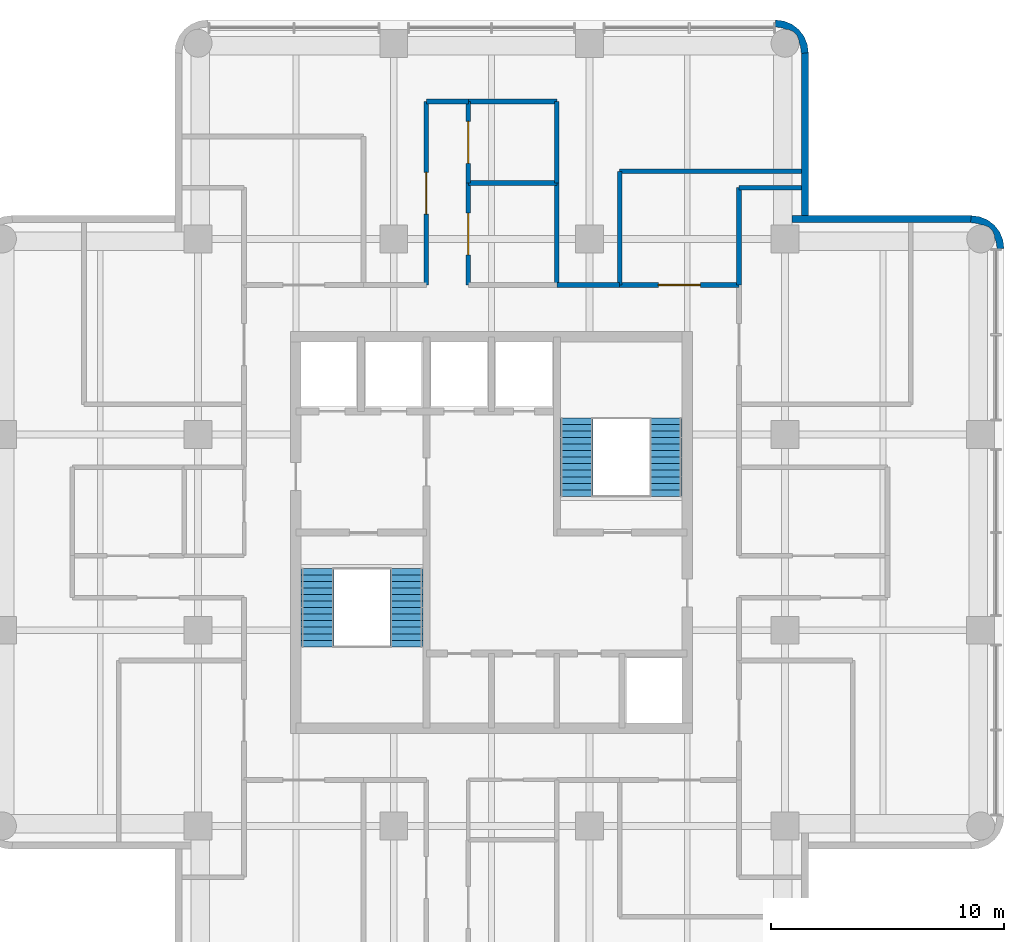
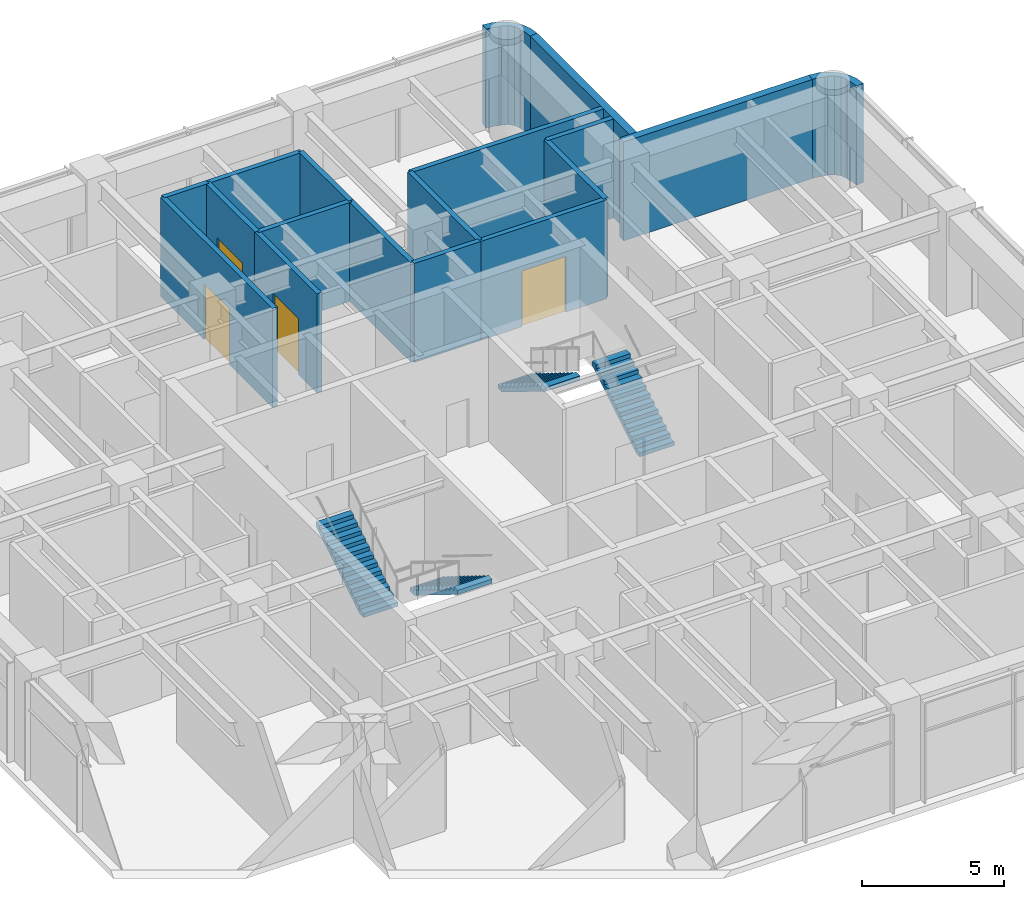
# One storey, part 7 of 8: 18 walls, 4 doors, 4 stair flights, 4 openings, 2 elements without a shape of their own.
"""IFC4 building model written with IfcOpenShell, lengths in metres."""

from ifc_helpers import new_model, si_unit, direction, frame, frame_2d, origin, place, context, subcontext, project, spatial, polyline, rectangle, outline, extrude, material, layer, layer_set, type_object, element, fill, aggregate, save


model = new_model("IFC4")

# Units and contexts
model_context = context("Model", 3, precision=1e-05, world=origin(), true_north=direction((0.0, 1.0)))
body_context = subcontext(model_context, "Body", "Model", "MODEL_VIEW")
ifc_project = project(units=[si_unit("LENGTHUNIT", "METRE"), si_unit("AREAUNIT", "SQUARE_METRE"), si_unit("VOLUMEUNIT", "CUBIC_METRE"), si_unit("PLANEANGLEUNIT", "RADIAN"), si_unit("MASSUNIT", "GRAM", prefix="KILO")], contexts=[model_context])

# Site, building, storey
site_placement = place(None, origin())
site = spatial("IfcSite", under=ifc_project, at=site_placement, CompositionType="ELEMENT")
building_placement = place(site_placement, origin())
building = spatial("IfcBuilding", under=site, at=building_placement, Name="Torre Alcanfor", CompositionType="ELEMENT")
storey_placement = place(building_placement, frame((0.0, 0.0, 300.89990234375)))
storey = spatial("IfcBuildingStorey", under=building, at=storey_placement, Name="L79", CompositionType="ELEMENT", Elevation=300.89990234375)

# Walls
ifc_material_1 = material(Name="Limestone cladding", Category="masonry")
ifc_layer_1 = layer(ifc_material_1, 0.0400390625, Name="Facing")
ifc_material_2 = material(Name="Ventilated air cavity")
ifc_layer_2 = layer(ifc_material_2, 0.02001953125, ventilated=True, Name="Ventilated joint")
ifc_material_3 = material(Name="Mineral wool insulation", Category="insulation")
ifc_layer_3 = layer(ifc_material_3, 0.10009765625, Name="Insulation")
ifc_material_4 = material(Name="Concrete f'c 35 MPa", Category="concrete")
ifc_layer_4 = layer(ifc_material_4, 0.139892578125, Name="Backing")
ifc_layer_set_1 = layer_set([ifc_layer_1, ifc_layer_2, ifc_layer_3, ifc_layer_4], Name="External wall stone-clad 300")
wall_type_1 = type_object("IfcWallType", Name="External wall stone-clad 300", PredefinedType="SOLIDWALL", material=ifc_layer_set_1)
wall_1_placement = place(storey_placement, frame((50.0, 42.85009765625, 0.0), z_axis=(0.0, 0.0, 1.0), x_axis=(-1.0, 0.0, 0.0)))
element("IfcWall", 1, at=wall_1_placement, inside=storey, type_object=wall_type_1, Name="External wall L79 9", PredefinedType="SOLIDWALL", context=body_context, shape_type="SweptSolid", body=[
    extrude(rectangle(XDim=7.699951171875, YDim=0.300048828125, at=frame_2d((3.85009765625, 0.0))), origin(), (0.0, 0.0, 1.0), 4.25),
])
wall_2_placement = place(storey_placement, frame((42.85009765625, 43.0, 0.0), z_axis=(0.0, 0.0, 1.0), x_axis=(0.0, 1.0, 0.0)))
element("IfcWall", 2, at=wall_2_placement, inside=storey, type_object=wall_type_1, Name="External wall L79 10", PredefinedType="SOLIDWALL", context=body_context, shape_type="SweptSolid", body=[
    extrude(rectangle(XDim=7.0, YDim=0.300048828125, at=frame_2d((3.5, 0.0))), origin(), (0.0, 0.0, 1.0), 4.25),
])

# Wall, opening, door
ifc_material_5 = material(Name="Concrete block masonry, hollow blocks NMX-C-404 9 MPa", Category="masonry")
ifc_layer_5 = layer(ifc_material_5, 0.199951171875)
ifc_layer_set_2 = layer_set([ifc_layer_5], Name="Plant room wall 200 EI 60")
wall_type_2 = type_object("IfcWallType", Name="Plant room wall 200 EI 60", PredefinedType="PARTITIONING", material=ifc_layer_set_2)
wall_3_placement = place(storey_placement, frame((34.89990234375, 40.02490234375, 0.0), z_axis=(0.0, 0.0, 1.0), x_axis=(1.0, 0.0, 0.0)))
wall_3 = element("IfcWall", 3, at=wall_3_placement, inside=storey, type_object=wall_type_2, Name="Partition L79-CORR / L79-N2", PredefinedType="PARTITIONING", context=body_context, shape_type="SweptSolid", body=[
    extrude(rectangle(XDim=5.125, YDim=0.199951171875, at=frame_2d((2.5625, 0.0))), origin(), (0.0, 0.0, 1.0), 4.25),
])
opening_1_placement = place(wall_3_placement, frame((1.66259765625, 0.0, 0.0)))
opening_1 = element("IfcOpeningElement", 4, at=opening_1_placement, cuts=wall_3, Name="Opening D-P1", PredefinedType="OPENING", context=body_context, shape_type="SweptSolid", body=[
    extrude(rectangle(XDim=1.800048828125, YDim=2.39990234375, at=frame_2d((0.89990234375, 1.199951171875))), frame((0.0, 0.10986328125, 0.0), z_axis=(0.0, -1.0, 0.0), x_axis=(1.0, 0.0, 0.0)), (0.0, 0.0, 1.0), 0.219970703125),
])
ifc_material_6 = material(Name="Galvanised steel sheet ASTM A653", Category="steel")
door_type = type_object("IfcDoorType", Name="Plant room door FD60 1800x2400", OperationType="DOUBLE_DOOR_SINGLE_SWING", PredefinedType="DOOR", material=ifc_material_6)
door_1_placement = place(opening_1_placement, origin())
door_1 = element("IfcDoor", 5, at=door_1_placement, inside=storey, type_object=door_type, Name="Door L79-N2 condenser water pump room", OperationType="DOUBLE_DOOR_SINGLE_SWING", OverallHeight=2.39990234375, OverallWidth=1.800048828125, PredefinedType="DOOR", context=body_context, shape_type="SweptSolid", body=[
    extrude(rectangle(XDim=1.800048828125, YDim=2.39990234375, at=frame_2d((0.89990234375, 1.199951171875))), frame((0.0, 0.02490234375, 0.0), z_axis=(0.0, -1.0, 0.0), x_axis=(1.0, 0.0, 0.0)), (0.0, 0.0, 1.0), 0.050048828125),
])
fill(opening_1, door_1)

# Walls
wall_4_placement = place(storey_placement, frame((32.199951171875, 40.02490234375, 0.0), z_axis=(0.0, 0.0, 1.0), x_axis=(1.0, 0.0, 0.0)))
element("IfcWall", 6, at=wall_4_placement, inside=storey, type_object=wall_type_2, Name="Partition L79-CORR / L79-NH", PredefinedType="PARTITIONING", context=body_context, shape_type="SweptSolid", body=[
    extrude(rectangle(XDim=2.699951171875, YDim=0.199951171875, at=frame_2d((1.35009765625, 0.0))), origin(), (0.0, 0.0, 1.0), 4.25),
])
wall_5_placement = place(storey_placement, frame((34.89990234375, 40.02490234375, 0.0), z_axis=(0.0, 0.0, 1.0), x_axis=(0.0, 1.0, 0.0)))
element("IfcWall", 7, at=wall_5_placement, inside=storey, type_object=wall_type_2, Name="Partition L79-N2 / L79-NH", PredefinedType="PARTITIONING", context=body_context, shape_type="SweptSolid", body=[
    extrude(rectangle(XDim=4.875, YDim=0.199951171875, at=frame_2d((2.4375, 0.0))), origin(), (0.0, 0.0, 1.0), 4.25),
])
wall_6_placement = place(storey_placement, frame((34.89990234375, 44.89990234375, 0.0), z_axis=(0.0, 0.0, 1.0), x_axis=(1.0, 0.0, 0.0)))
element("IfcWall", 8, at=wall_6_placement, inside=storey, type_object=wall_type_2, Name="Partition L79-N2 / L79-NH", PredefinedType="PARTITIONING", context=body_context, shape_type="SweptSolid", body=[
    extrude(rectangle(XDim=7.800048828125, YDim=0.199951171875, at=frame_2d((3.89990234375, 0.0))), origin(), (0.0, 0.0, 1.0), 4.25),
])
wall_7_placement = place(storey_placement, frame((42.699951171875, 44.199951171875, 0.0), z_axis=(0.0, 0.0, 1.0), x_axis=(-1.0, 0.0, 0.0)))
element("IfcWall", 9, at=wall_7_placement, inside=storey, type_object=wall_type_2, Name="Partition L79-N2 / L79-E2", PredefinedType="PARTITIONING", context=body_context, shape_type="SweptSolid", body=[
    extrude(rectangle(XDim=2.675048828125, YDim=0.199951171875, at=frame_2d((1.33740234375, 0.0))), origin(), (0.0, 0.0, 1.0), 4.25),
])
wall_8_placement = place(storey_placement, frame((40.02490234375, 44.199951171875, 0.0), z_axis=(0.0, 0.0, 1.0), x_axis=(0.0, -1.0, 0.0)))
element("IfcWall", 10, at=wall_8_placement, inside=storey, type_object=wall_type_2, Name="Partition L79-N2 / L79-E2", PredefinedType="PARTITIONING", context=body_context, shape_type="SweptSolid", body=[
    extrude(rectangle(XDim=4.175048828125, YDim=0.199951171875, at=frame_2d((2.08740234375, 0.0))), origin(), (0.0, 0.0, 1.0), 4.25),
])

# Wall, opening, door
wall_9_placement = place(storey_placement, frame((28.39990234375, 44.39990234375, 0.0), z_axis=(0.0, 0.0, 1.0), x_axis=(0.0, -1.0, 0.0)))
wall_9 = element("IfcWall", 11, at=wall_9_placement, inside=storey, type_object=wall_type_2, Name="Partition L79-NC / L79-N3", PredefinedType="PARTITIONING", context=body_context, shape_type="SweptSolid", body=[
    extrude(rectangle(XDim=4.375, YDim=0.199951171875, at=frame_2d((2.1875, 0.0))), origin(), (0.0, 0.0, 1.0), 4.25),
])
opening_2_placement = place(wall_9_placement, frame((1.28759765625, 0.0, 0.0)))
opening_2 = element("IfcOpeningElement", 12, at=opening_2_placement, cuts=wall_9, Name="Opening D-P1", PredefinedType="OPENING", context=body_context, shape_type="SweptSolid", body=[
    extrude(rectangle(XDim=1.800048828125, YDim=2.39990234375, at=frame_2d((0.89990234375, 1.199951171875))), frame((0.0, 0.10986328125, 0.0), z_axis=(0.0, -1.0, 0.0), x_axis=(1.0, 0.0, 0.0)), (0.0, 0.0, 1.0), 0.219970703125),
])
door_2_placement = place(opening_2_placement, origin())
door_2 = element("IfcDoor", 13, at=door_2_placement, inside=storey, type_object=door_type, Name="Door L79-N3 lv switch room", OperationType="DOUBLE_DOOR_SINGLE_SWING", OverallHeight=2.39990234375, OverallWidth=1.800048828125, PredefinedType="DOOR", context=body_context, shape_type="SweptSolid", body=[
    extrude(rectangle(XDim=1.800048828125, YDim=2.39990234375, at=frame_2d((0.89990234375, 1.199951171875))), frame((0.0, 0.02490234375, 0.0), z_axis=(0.0, -1.0, 0.0), x_axis=(1.0, 0.0, 0.0)), (0.0, 0.0, 1.0), 0.050048828125),
])
fill(opening_2, door_2)

wall_10_placement = place(storey_placement, frame((28.39990234375, 47.89990234375, 0.0), z_axis=(0.0, 0.0, 1.0), x_axis=(0.0, -1.0, 0.0)))
wall_10 = element("IfcWall", 14, at=wall_10_placement, inside=storey, type_object=wall_type_2, Name="Partition L79-NC / L79-N4", PredefinedType="PARTITIONING", context=body_context, shape_type="SweptSolid", body=[
    extrude(rectangle(XDim=3.5, YDim=0.199951171875, at=frame_2d((1.75, 0.0))), origin(), (0.0, 0.0, 1.0), 4.25),
])
opening_3_placement = place(wall_10_placement, frame((0.85009765625, 0.0, 0.0)))
opening_3 = element("IfcOpeningElement", 15, at=opening_3_placement, cuts=wall_10, Name="Opening D-P1", PredefinedType="OPENING", context=body_context, shape_type="SweptSolid", body=[
    extrude(rectangle(XDim=1.800048828125, YDim=2.39990234375, at=frame_2d((0.89990234375, 1.199951171875))), frame((0.0, 0.10986328125, 0.0), z_axis=(0.0, -1.0, 0.0), x_axis=(1.0, 0.0, 0.0)), (0.0, 0.0, 1.0), 0.219970703125),
])
door_3_placement = place(opening_3_placement, origin())
door_3 = element("IfcDoor", 16, at=door_3_placement, inside=storey, type_object=door_type, Name="Door L79-N4 plant store", OperationType="DOUBLE_DOOR_SINGLE_SWING", OverallHeight=2.39990234375, OverallWidth=1.800048828125, PredefinedType="DOOR", context=body_context, shape_type="SweptSolid", body=[
    extrude(rectangle(XDim=1.800048828125, YDim=2.39990234375, at=frame_2d((0.89990234375, 1.199951171875))), frame((0.0, 0.02490234375, 0.0), z_axis=(0.0, -1.0, 0.0), x_axis=(1.0, 0.0, 0.0)), (0.0, 0.0, 1.0), 0.050048828125),
])
fill(opening_3, door_3)

wall_11_placement = place(storey_placement, frame((26.60009765625, 40.02490234375, 0.0), z_axis=(0.0, 0.0, 1.0), x_axis=(0.0, 1.0, 0.0)))
wall_11 = element("IfcWall", 17, at=wall_11_placement, inside=storey, type_object=wall_type_2, Name="Partition L79-NC / L79-NH", PredefinedType="PARTITIONING", context=body_context, shape_type="SweptSolid", body=[
    extrude(rectangle(XDim=7.875, YDim=0.199951171875, at=frame_2d((3.9375, 0.0))), origin(), (0.0, 0.0, 1.0), 4.25),
])
opening_4_placement = place(wall_11_placement, frame((3.03759765625, 0.0, 0.0)))
opening_4 = element("IfcOpeningElement", 18, at=opening_4_placement, cuts=wall_11, Name="Opening D-P1", PredefinedType="OPENING", context=body_context, shape_type="SweptSolid", body=[
    extrude(rectangle(XDim=1.800048828125, YDim=2.39990234375, at=frame_2d((0.89990234375, 1.199951171875))), frame((0.0, 0.10986328125, 0.0), z_axis=(0.0, -1.0, 0.0), x_axis=(1.0, 0.0, 0.0)), (0.0, 0.0, 1.0), 0.219970703125),
])
door_4_placement = place(opening_4_placement, origin())
door_4 = element("IfcDoor", 19, at=door_4_placement, inside=storey, type_object=door_type, Name="Door L79-NH chiller plant room", OperationType="DOUBLE_DOOR_SINGLE_SWING", OverallHeight=2.39990234375, OverallWidth=1.800048828125, PredefinedType="DOOR", context=body_context, shape_type="SweptSolid", body=[
    extrude(rectangle(XDim=1.800048828125, YDim=2.39990234375, at=frame_2d((0.89990234375, 1.199951171875))), frame((0.0, 0.02490234375, 0.0), z_axis=(0.0, -1.0, 0.0), x_axis=(1.0, 0.0, 0.0)), (0.0, 0.0, 1.0), 0.050048828125),
])
fill(opening_4, door_4)

# Walls
wall_12_placement = place(storey_placement, frame((26.60009765625, 47.89990234375, 0.0), z_axis=(0.0, 0.0, 1.0), x_axis=(1.0, 0.0, 0.0)))
element("IfcWall", 20, at=wall_12_placement, inside=storey, type_object=wall_type_2, Name="Partition L79-NC / L79-NH", PredefinedType="PARTITIONING", context=body_context, shape_type="SweptSolid", body=[
    extrude(rectangle(XDim=1.7998046875, YDim=0.199951171875, at=frame_2d((0.89990234375, 0.0))), origin(), (0.0, 0.0, 1.0), 4.25),
])
wall_13_placement = place(storey_placement, frame((28.39990234375, 44.39990234375, 0.0), z_axis=(0.0, 0.0, 1.0), x_axis=(1.0, 0.0, 0.0)))
element("IfcWall", 21, at=wall_13_placement, inside=storey, type_object=wall_type_2, Name="Partition L79-N3 / L79-N4", PredefinedType="PARTITIONING", context=body_context, shape_type="SweptSolid", body=[
    extrude(rectangle(XDim=3.800048828125, YDim=0.199951171875, at=frame_2d((1.89990234375, 0.0))), origin(), (0.0, 0.0, 1.0), 4.25),
])
wall_14_placement = place(storey_placement, frame((32.199951171875, 44.39990234375, 0.0), z_axis=(0.0, 0.0, 1.0), x_axis=(0.0, -1.0, 0.0)))
element("IfcWall", 22, at=wall_14_placement, inside=storey, type_object=wall_type_2, Name="Partition L79-N3 / L79-NH", PredefinedType="PARTITIONING", context=body_context, shape_type="SweptSolid", body=[
    extrude(rectangle(XDim=4.375, YDim=0.199951171875, at=frame_2d((2.1875, 0.0))), origin(), (0.0, 0.0, 1.0), 4.25),
])
wall_15_placement = place(storey_placement, frame((28.39990234375, 47.89990234375, 0.0), z_axis=(0.0, 0.0, 1.0), x_axis=(1.0, 0.0, 0.0)))
element("IfcWall", 23, at=wall_15_placement, inside=storey, type_object=wall_type_2, Name="Partition L79-N4 / L79-NH", PredefinedType="PARTITIONING", context=body_context, shape_type="SweptSolid", body=[
    extrude(rectangle(XDim=3.800048828125, YDim=0.199951171875, at=frame_2d((1.89990234375, 0.0))), origin(), (0.0, 0.0, 1.0), 4.25),
])
wall_16_placement = place(storey_placement, frame((32.199951171875, 47.89990234375, 0.0), z_axis=(0.0, 0.0, 1.0), x_axis=(0.0, -1.0, 0.0)))
element("IfcWall", 24, at=wall_16_placement, inside=storey, type_object=wall_type_2, Name="Partition L79-N4 / L79-NH", PredefinedType="PARTITIONING", context=body_context, shape_type="SweptSolid", body=[
    extrude(rectangle(XDim=3.5, YDim=0.199951171875, at=frame_2d((1.75, 0.0))), origin(), (0.0, 0.0, 1.0), 4.25),
])
ifc_layer_6 = layer(ifc_material_1, 0.0400390625, Name="Facing")
ifc_layer_7 = layer(ifc_material_2, 0.02001953125, ventilated=True, Name="Ventilated joint")
ifc_layer_8 = layer(ifc_material_3, 0.10009765625, Name="Insulation")
ifc_layer_9 = layer(ifc_material_4, 0.139892578125, Name="Backing")
ifc_layer_set_3 = layer_set([ifc_layer_6, ifc_layer_7, ifc_layer_8, ifc_layer_9], Name="Rounded corner pier stone-clad 300")
wall_type_3 = type_object("IfcWallType", Name="Rounded corner pier stone-clad 300", PredefinedType="SOLIDWALL", material=ifc_layer_set_3)
wall_17_placement = place(storey_placement, frame((50.975898117, 41.638418254, 0.0), z_axis=(0.0, 0.0, 1.0), x_axis=(0.707106781187, 0.707106781187, 0.0)))
element("IfcWall", 25, at=wall_17_placement, inside=storey, type_object=wall_type_3, Name="Corner pier L79 18", PredefinedType="SOLIDWALL", context=body_context, shape_type="SweptSolid", body=[
    extrude(outline(polyline([(0.23318643990489343, 0.11416555226925765), (0.04674226908422171, -0.12890240376361806), (0.032758956272671336, -0.14288571657516844), (0.27271950945853585, -0.32691301851483145), (0.4952440800028376, -0.03706138628528721), (0.6350772081183413, 0.3006097230899294), (0.682724051772513, 0.6627947882582343), (0.6350772081183413, 1.0253251204095404), (0.4952440800028376, 1.3629962297847569), (0.27271950945853585, 1.6528478620143012), (0.032586322781170685, 1.4686479265831376), (0.04656963559272109, 1.454664613771587), (0.2330138064133928, 1.2115966577387114), (0.2922270939981062, 1.0691740272506984), (0.35800045425984317, 1.0034006669889615), (0.44949620475517277, 0.7824297978681654), (0.4493235712636722, 0.5433324121398039), (0.3578278207683425, 0.32236154301900777), (0.29222709399810615, 0.2567608162487714), (0.23318643990489343, 0.11416555226925765)])), origin(), (0.0, 0.0, 1.0), 4.25),
])
wall_18_placement = place(storey_placement, frame((42.575898117, 50.038418254, 0.0), z_axis=(0.0, 0.0, 1.0), x_axis=(0.707106781187, 0.707106781187, 0.0)))
element("IfcWall", 26, at=wall_18_placement, inside=storey, type_object=wall_type_3, Name="Corner pier L79 19", PredefinedType="SOLIDWALL", context=body_context, shape_type="SweptSolid", body=[
    extrude(outline(polyline([(0.2330138064133928, 0.11420007896755979), (0.0465696355927211, -0.12886787706531594), (0.03258632278117072, -0.14285118987686632), (0.27271950945853585, -0.32705112530802993), (0.4952440800028376, -0.03719949307848569), (0.6350772081183413, 0.3004716162967309), (0.682724051772513, 0.663001948448037), (0.6350772081183413, 1.025187013616342), (0.4952440800028376, 1.3628581229915584), (0.27271950945853596, 1.6527097552211027), (0.032758956272671336, 1.4686824532814398), (0.046742269084221744, 1.4546991404698892), (0.23318643990489346, 1.2116311844370136), (0.2922270939981061, 1.0690359204575), (0.35782782076834246, 1.0034351936872634), (0.4493235712636722, 0.7824643245664674), (0.44949620475517277, 0.543366938838106), (0.3580004542598431, 0.3223960697173099), (0.29222709399810615, 0.2566227094555729), (0.2330138064133928, 0.11420007896755979)])), origin(), (0.0, 0.0, 1.0), 4.25),
])

# Stair, stair flights
ifc_material_7 = material(Name="Concrete f'c 35 MPa", Category="concrete")
stair_type_1 = type_object("IfcStairType", Name="Exit stair S1 1400 wide", PredefinedType="HALF_TURN_STAIR", material=ifc_material_7)
stair_1_placement = place(storey_placement, origin())
stair_1 = element("IfcStair", 27, at=stair_1_placement, inside=storey, type_object=stair_type_1, Name="Stair S1 L79 to L80", PredefinedType="HALF_TURN_STAIR")
ifc_material_8 = material(Name="Concrete f'c 35 MPa", Category="concrete")
stair_flight_type = type_object("IfcStairFlightType", Name="Stair flight 1400", PredefinedType="STRAIGHT", material=ifc_material_8)
stair_flight_1_placement = place(storey_placement, frame((25.75, 27.85009765625, 0.0), z_axis=(0.0, 0.0, 1.0), x_axis=(0.0, -1.0, 0.0)))
stair_flight_1 = element("IfcStairFlight", 28, at=stair_flight_1_placement, type_object=stair_flight_type, Name="S1 flight 1", NumberOfRisers=13, NumberOfTreads=12, PredefinedType="STRAIGHT", RiserHeight=0.173076923, TreadLength=0.28, context=body_context, shape_type="SweptSolid", body=[
    extrude(outline(polyline([(0.0, 0.0), (0.0, 0.173095703125), (0.280029296875, 0.173095703125), (0.280029296875, 0.34619140625), (0.56005859375, 0.34619140625), (0.56005859375, 0.519287109375), (0.840087890625, 0.519287109375), (0.840087890625, 0.6923828125), (1.1201171875, 0.6923828125), (1.1201171875, 0.865478515625), (1.39990234375, 0.865478515625), (1.39990234375, 1.03857421875), (1.679931640625, 1.03857421875), (1.679931640625, 1.21142578125), (1.9599609375, 1.21142578125), (1.9599609375, 1.384521484375), (2.239990234375, 1.384521484375), (2.239990234375, 1.5576171875), (2.52001953125, 1.5576171875), (2.52001953125, 1.730712890625), (2.800048828125, 1.730712890625), (2.800048828125, 1.90380859375), (3.080078125, 1.90380859375), (3.080078125, 2.076904296875), (3.360107421875, 2.076904296875), (3.360107421875, 2.25), (3.360107421875, 1.900634765625), (0.28515625, 0.0), (0.0, 0.0)])), frame((0.0, 0.699951171875, 0.0), z_axis=(0.0, -1.0, 0.0), x_axis=(1.0, 0.0, 0.0)), (0.0, 0.0, 1.0), 1.39990234375),
])
stair_flight_2_placement = place(storey_placement, frame((21.925048828125, 24.489990234375, 2.25), z_axis=(0.0, 0.0, 1.0), x_axis=(0.0, 1.0, 0.0)))
stair_flight_2 = element("IfcStairFlight", 29, at=stair_flight_2_placement, type_object=stair_flight_type, Name="S1 flight 2", NumberOfRisers=13, NumberOfTreads=12, PredefinedType="STRAIGHT", RiserHeight=0.173076923, TreadLength=0.28, context=body_context, shape_type="SweptSolid", body=[
    extrude(outline(polyline([(0.0, 0.0), (0.0, 0.173095703125), (0.280029296875, 0.173095703125), (0.280029296875, 0.34619140625), (0.56005859375, 0.34619140625), (0.56005859375, 0.519287109375), (0.840087890625, 0.519287109375), (0.840087890625, 0.6923828125), (1.1201171875, 0.6923828125), (1.1201171875, 0.865478515625), (1.39990234375, 0.865478515625), (1.39990234375, 1.03857421875), (1.679931640625, 1.03857421875), (1.679931640625, 1.21142578125), (1.9599609375, 1.21142578125), (1.9599609375, 1.384521484375), (2.239990234375, 1.384521484375), (2.239990234375, 1.5576171875), (2.52001953125, 1.5576171875), (2.52001953125, 1.730712890625), (2.800048828125, 1.730712890625), (2.800048828125, 1.90380859375), (3.080078125, 1.90380859375), (3.080078125, 2.076904296875), (3.360107421875, 2.076904296875), (3.360107421875, 2.25), (3.360107421875, 1.900634765625), (0.28515625, 0.0), (0.0, 0.0)])), frame((0.0, 0.699951171875, 0.0), z_axis=(0.0, -1.0, 0.0), x_axis=(1.0, 0.0, 0.0)), (0.0, 0.0, 1.0), 1.39990234375),
])
aggregate(stair_1, [stair_flight_1, stair_flight_2])

ifc_material_9 = material(Name="Concrete f'c 35 MPa", Category="concrete")
stair_type_2 = type_object("IfcStairType", Name="Exit stair S2 1400 wide", PredefinedType="HALF_TURN_STAIR", material=ifc_material_9)
stair_2_placement = place(storey_placement, origin())
stair_2 = element("IfcStair", 30, at=stair_2_placement, inside=storey, type_object=stair_type_2, Name="Stair S2 L79 to L80", PredefinedType="HALF_TURN_STAIR")
stair_flight_3_placement = place(storey_placement, frame((36.875, 30.949951171875, 0.0), z_axis=(0.0, 0.0, 1.0), x_axis=(0.0, 1.0, 0.0)))
stair_flight_3 = element("IfcStairFlight", 31, at=stair_flight_3_placement, type_object=stair_flight_type, Name="S2 flight 1", NumberOfRisers=13, NumberOfTreads=12, PredefinedType="STRAIGHT", RiserHeight=0.173076923, TreadLength=0.28, context=body_context, shape_type="SweptSolid", body=[
    extrude(outline(polyline([(0.0, 0.0), (0.0, 0.173095703125), (0.280029296875, 0.173095703125), (0.280029296875, 0.34619140625), (0.56005859375, 0.34619140625), (0.56005859375, 0.519287109375), (0.840087890625, 0.519287109375), (0.840087890625, 0.6923828125), (1.1201171875, 0.6923828125), (1.1201171875, 0.865478515625), (1.39990234375, 0.865478515625), (1.39990234375, 1.03857421875), (1.679931640625, 1.03857421875), (1.679931640625, 1.21142578125), (1.9599609375, 1.21142578125), (1.9599609375, 1.384521484375), (2.239990234375, 1.384521484375), (2.239990234375, 1.5576171875), (2.52001953125, 1.5576171875), (2.52001953125, 1.730712890625), (2.800048828125, 1.730712890625), (2.800048828125, 1.90380859375), (3.080078125, 1.90380859375), (3.080078125, 2.076904296875), (3.360107421875, 2.076904296875), (3.360107421875, 2.25), (3.360107421875, 1.900634765625), (0.28515625, 0.0), (0.0, 0.0)])), frame((0.0, 0.699951171875, 0.0), z_axis=(0.0, -1.0, 0.0), x_axis=(1.0, 0.0, 0.0)), (0.0, 0.0, 1.0), 1.39990234375),
])
stair_flight_4_placement = place(storey_placement, frame((33.050048828125, 34.31005859375, 2.25), z_axis=(0.0, 0.0, 1.0), x_axis=(0.0, -1.0, 0.0)))
stair_flight_4 = element("IfcStairFlight", 32, at=stair_flight_4_placement, type_object=stair_flight_type, Name="S2 flight 2", NumberOfRisers=13, NumberOfTreads=12, PredefinedType="STRAIGHT", RiserHeight=0.173076923, TreadLength=0.28, context=body_context, shape_type="SweptSolid", body=[
    extrude(outline(polyline([(0.0, 0.0), (0.0, 0.173095703125), (0.280029296875, 0.173095703125), (0.280029296875, 0.34619140625), (0.56005859375, 0.34619140625), (0.56005859375, 0.519287109375), (0.840087890625, 0.519287109375), (0.840087890625, 0.6923828125), (1.1201171875, 0.6923828125), (1.1201171875, 0.865478515625), (1.39990234375, 0.865478515625), (1.39990234375, 1.03857421875), (1.679931640625, 1.03857421875), (1.679931640625, 1.21142578125), (1.9599609375, 1.21142578125), (1.9599609375, 1.384521484375), (2.239990234375, 1.384521484375), (2.239990234375, 1.5576171875), (2.52001953125, 1.5576171875), (2.52001953125, 1.730712890625), (2.800048828125, 1.730712890625), (2.800048828125, 1.90380859375), (3.080078125, 1.90380859375), (3.080078125, 2.076904296875), (3.360107421875, 2.076904296875), (3.360107421875, 2.25), (3.360107421875, 1.900634765625), (0.28515625, 0.0), (0.0, 0.0)])), frame((0.0, 0.699951171875, 0.0), z_axis=(0.0, -1.0, 0.0), x_axis=(1.0, 0.0, 0.0)), (0.0, 0.0, 1.0), 1.39990234375),
])
aggregate(stair_2, [stair_flight_3, stair_flight_4])

save(model, "model.ifc")
